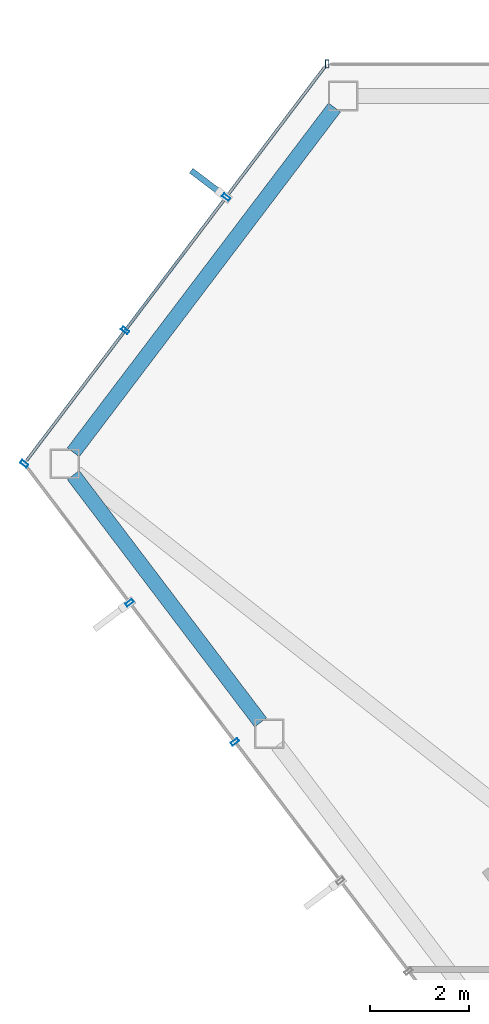
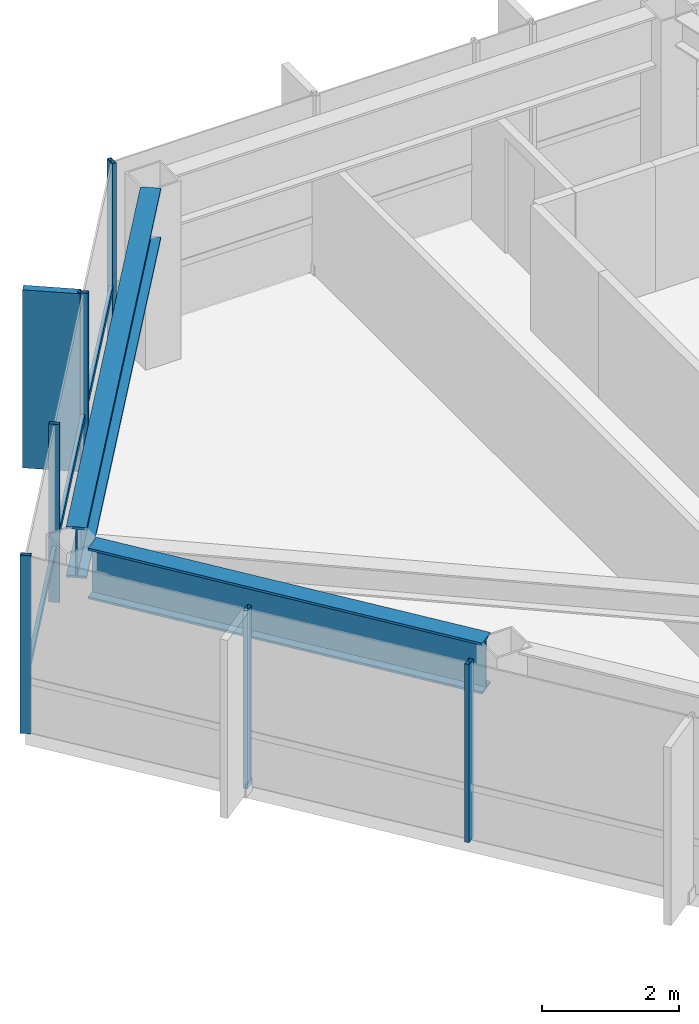
# One storey, part 9 of 25: 8 members, 2 beams, 3 elements without a shape of their own.
"""IFC4 building model written with IfcOpenShell, lengths in metres."""

import ifcopenshell
import ifcopenshell.guid

model = None  # the IFC model being written
_history = None  # IfcOwnerHistory: only IFC2X3 demands one
_inside = {}  # id of a spatial element -> (the spatial element, [elements in it])
_under = {}  # id of a project, library or spatial element -> (it, [spatial elements below it])
_declared = {}  # id of a project -> (the project, [libraries it declares])
_typed = {}  # id of a type object -> (the type object, [elements of that type])
_made_of = {}  # id of a material, layer set ... -> (it, [elements and type objects made of it])


def new_model(schema):
    """Start an empty IFC model of exactly this schema.

    Asked for "IFC4X3", IfcOpenShell would pick the latest addendum, in which some entities
    have other attributes; the version numbers below select the first issue.
    IFC2X3 requires an IfcOwnerHistory on every rooted entity: one is made here for all.
    """
    global model, _history
    if schema == "IFC4X3":
        model = ifcopenshell.file(schema_version=(4, 3, 0, 0))
    else:
        model = ifcopenshell.file(schema=schema)
    _inside.clear()
    _under.clear()
    _declared.clear()
    _typed.clear()
    _made_of.clear()
    _history = None
    if model.schema == "IFC2X3":
        org = make("IfcOrganization", Name="unknown")
        user = make(
            "IfcPersonAndOrganization",
            ThePerson=make("IfcPerson", FamilyName="unknown"),
            TheOrganization=org,
        )
        app = make(
            "IfcApplication",
            ApplicationDeveloper=org,
            Version="unknown",
            ApplicationFullName="unknown",
            ApplicationIdentifier="unknown",
        )
        _history = make(
            "IfcOwnerHistory",
            OwningUser=user,
            OwningApplication=app,
            ChangeAction="ADDED",
            CreationDate=0,
        )
    return model


def make(cls, **values):
    """One entity of the class cls with the attributes given. An attribute that is None is left unset."""
    return model.create_entity(
        cls, **{name: value for name, value in values.items() if value is not None}
    )


def rooted(cls, **values):
    """An entity with a GlobalId (a new one), such as an element, a storey or a relation."""
    return make(cls, GlobalId=ifcopenshell.guid.new(), OwnerHistory=_history, **values)


def si_unit(unit_type, name, prefix=None):
    """IfcSIUnit, for example si_unit("LENGTHUNIT", "METRE", prefix="MILLI")."""
    return make("IfcSIUnit", UnitType=unit_type, Prefix=prefix, Name=name)


def assignment(units):
    """IfcUnitAssignment: the units of a project."""
    return None if units is None else make("IfcUnitAssignment", Units=units)


def point(xyz):
    """IfcCartesianPoint."""
    return None if xyz is None else make("IfcCartesianPoint", Coordinates=xyz)


def direction(xyz):
    """IfcDirection."""
    return None if xyz is None else make("IfcDirection", DirectionRatios=xyz)


def frame(location, z_axis=None, x_axis=None):
    """IfcAxis2Placement3D, a coordinate frame: its origin and axes. An axis left out is left unset."""
    return make(
        "IfcAxis2Placement3D",
        Location=point(location),
        Axis=direction(z_axis),
        RefDirection=direction(x_axis),
    )


def frame_2d(location, x_axis=None):
    """IfcAxis2Placement2D, a coordinate frame in the plane: its origin and x axis."""
    return make(
        "IfcAxis2Placement2D", Location=point(location), RefDirection=direction(x_axis)
    )


def origin():
    """The frame at (0, 0, 0) with its axes left unset."""
    return frame((0.0, 0.0, 0.0))


def origin_2d():
    """The frame at (0, 0) in the plane with its x axis left unset."""
    return frame_2d((0.0, 0.0))


def place(relative_to, where):
    """IfcLocalPlacement: puts the frame where relative to a parent placement (None: the world)."""
    return make(
        "IfcLocalPlacement", PlacementRelTo=relative_to, RelativePlacement=where
    )


def context(
    kind, dimensions, precision=None, world=None, true_north=None, identifier=None
):
    """IfcGeometricRepresentationContext, for example the 3D "Model" context."""
    return make(
        "IfcGeometricRepresentationContext",
        ContextIdentifier=identifier,
        ContextType=kind,
        CoordinateSpaceDimension=dimensions,
        Precision=precision,
        WorldCoordinateSystem=world,
        TrueNorth=true_north,
    )


def subcontext(parent, identifier, kind, view, scale=None):
    """IfcGeometricRepresentationSubContext, for example "Body" below "Model"."""
    return make(
        "IfcGeometricRepresentationSubContext",
        ContextIdentifier=identifier,
        ContextType=kind,
        ParentContext=parent,
        TargetScale=scale,
        TargetView=view,
    )


def project(units=None, contexts=None):
    """IfcProject with its units and contexts."""
    return rooted(
        "IfcProject",
        Name="project",
        RepresentationContexts=contexts,
        UnitsInContext=assignment(units),
    )


def spatial(cls, under=None, at=None, **own):
    """A site, building, storey or space (cls), placed at a placement, below another one or the project."""
    s = rooted(cls, ObjectPlacement=at, **own)
    if under is not None:
        _under.setdefault(under.id(), (under, []))[1].append(s)
    return s


def profile(cls, at=None, kind="AREA", **sizes):
    """A parametric profile (cls). Its sizes go by their IFC names, for example OverallWidth=200.0."""
    return make(cls, ProfileType=kind, Position=at, **sizes)


def rectangle(**sizes):
    """IfcRectangleProfileDef."""
    return profile("IfcRectangleProfileDef", **sizes)


def hollow_rectangle(**sizes):
    """IfcRectangleHollowProfileDef."""
    return profile("IfcRectangleHollowProfileDef", **sizes)


def i_section(**sizes):
    """IfcIShapeProfileDef."""
    return profile("IfcIShapeProfileDef", **sizes)


def extrude(swept, where, along, depth):
    """IfcExtrudedAreaSolid: the profile swept, set in the frame where, extruded along a direction by depth."""
    return make(
        "IfcExtrudedAreaSolid",
        SweptArea=swept,
        Position=where,
        ExtrudedDirection=direction(along),
        Depth=depth,
    )


def shape(context_of_items, identifier, shape_type, items):
    """IfcShapeRepresentation: the items that make up one representation, for example the "Body"."""
    return make(
        "IfcShapeRepresentation",
        ContextOfItems=context_of_items,
        RepresentationIdentifier=identifier,
        RepresentationType=shape_type,
        Items=items,
    )


def material(Name=None, Category=None):
    """IfcMaterial."""
    return make("IfcMaterial", Name=Name, Category=Category)


def layer(
    of_material, thickness, ventilated=None, Name=None, Category=None, Priority=None
):
    """IfcMaterialLayer: one layer of a wall or slab, of a material (None: an air gap)."""
    return make(
        "IfcMaterialLayer",
        Material=of_material,
        LayerThickness=thickness,
        IsVentilated=ventilated,
        Name=Name,
        Category=Category,
        Priority=Priority,
    )


def layer_set(layers, Name=None):
    """IfcMaterialLayerSet."""
    return make("IfcMaterialLayerSet", MaterialLayers=layers, LayerSetName=Name)


def material_profile(
    of_material, cross_section, Name=None, Category=None, Priority=None
):
    """IfcMaterialProfile: a cross section and its material."""
    return make(
        "IfcMaterialProfile",
        Name=Name,
        Material=of_material,
        Profile=cross_section,
        Priority=Priority,
        Category=Category,
    )


def profile_set(profiles, Name=None, composite=None):
    """IfcMaterialProfileSet."""
    return make(
        "IfcMaterialProfileSet",
        Name=Name,
        MaterialProfiles=profiles,
        CompositeProfile=composite,
    )


def made_of(thing, what):
    """Note that an element or type object is made of a material, layer set ...; save() writes the relation."""
    if what is not None:
        _made_of.setdefault(what.id(), (what, []))[1].append(thing)
    return thing


def type_object(cls, material=None, **own):
    """A type object (cls), such as IfcWallType, which elements share."""
    return made_of(rooted(cls, **own), material)


def element(
    cls,
    number,
    at=None,
    inside=None,
    cuts=None,
    type_object=None,
    material=None,
    context=None,
    identifier="Body",
    shape_type=None,
    held_by="IfcProductDefinitionShape",
    body=None,
    shapes=None,
    **own,
):
    """One element of the class cls, such as IfcWall. Its Tag is "e" and its number.

    at: its placement. inside: the storey or other place that contains it. cuts: it is an
    opening in that element (IfcRelVoidsElement). A single representation is given by context,
    identifier, shape_type and body (its items); several are given by shapes. held_by: the class
    of the entity that holds the representations. save() writes the other relations.
    """
    e = rooted(cls, Tag="e%d" % number, ObjectPlacement=at, **own)
    if body is not None:
        shapes = [shape(context, identifier, shape_type, body)]
    if shapes is not None:
        e.Representation = make(held_by, Representations=shapes)
    if inside is not None:
        _inside.setdefault(inside.id(), (inside, []))[1].append(e)
    if cuts is not None:
        rooted(
            "IfcRelVoidsElement", RelatingBuildingElement=cuts, RelatedOpeningElement=e
        )
    if type_object is not None:
        _typed.setdefault(type_object.id(), (type_object, []))[1].append(e)
    return made_of(e, material)


def aggregate(whole, parts):
    """IfcRelAggregates: a whole, such as a stair, and the parts it consists of."""
    return rooted("IfcRelAggregates", RelatingObject=whole, RelatedObjects=parts)


def save(model, path):
    """Write the relations noted so far, then the file.

    IfcRelAggregates (storeys below a building ...), IfcRelContainedInSpatialStructure (elements
    in a storey), IfcRelDefinesByType, IfcRelAssociatesMaterial and IfcRelDeclares: one each for
    every whole, place, type object, material and project.
    """
    for whole, parts in _under.values():
        aggregate(whole, parts)
    for where, things in _inside.values():
        rooted(
            "IfcRelContainedInSpatialStructure",
            RelatedElements=things,
            RelatingStructure=where,
        )
    for kind, things in _typed.values():
        rooted("IfcRelDefinesByType", RelatedObjects=things, RelatingType=kind)
    for what, things in _made_of.values():
        rooted("IfcRelAssociatesMaterial", RelatedObjects=things, RelatingMaterial=what)
    for by, libraries in _declared.values():
        rooted("IfcRelDeclares", RelatingContext=by, RelatedDefinitions=libraries)
    model.write(path)


model = new_model("IFC4")

# Units and contexts
model_context = context("Model", 3, precision=1e-05, world=origin(), true_north=direction((0.0, 1.0)))
body_context = subcontext(model_context, "Body", "Model", "MODEL_VIEW")
ifc_project = project(units=[si_unit("LENGTHUNIT", "METRE"), si_unit("AREAUNIT", "SQUARE_METRE"), si_unit("VOLUMEUNIT", "CUBIC_METRE"), si_unit("PLANEANGLEUNIT", "RADIAN"), si_unit("MASSUNIT", "GRAM", prefix="KILO")], contexts=[model_context])

# Site, building, storey
site_placement = place(None, origin())
site = spatial("IfcSite", under=ifc_project, at=site_placement, CompositionType="ELEMENT")
building_placement = place(site_placement, origin())
building = spatial("IfcBuilding", under=site, at=building_placement, Name="Zarrinselat Tower", CompositionType="ELEMENT")
storey_placement = place(building_placement, frame((0.0, 0.0, 208.760009765625)))
storey = spatial("IfcBuildingStorey", under=building, at=storey_placement, Name="L51", CompositionType="ELEMENT", Elevation=208.760009765625)

# Beams
ifc_material_1 = material(Name="Steel S460M", Category="steel")
ifc_material_profile_1 = material_profile(ifc_material_1, i_section(OverallWidth=0.302001953125, OverallDepth=0.909912109375, WebThickness=0.02099609375, FlangeThickness=0.0400390625, at=origin_2d()), Name="HEM 900")
ifc_profile_set_1 = profile_set([ifc_material_profile_1], Name="Steel S460M")
beam_type = type_object("IfcBeamType", Name="BM-HEM900", PredefinedType="BEAM", material=ifc_profile_set_1)
beam_1_placement = place(storey_placement, frame((15.943115234375, 40.57666015625, 2.72509765625), z_axis=(0.603856610549, 0.7970929644, 0.0), x_axis=(-0.7970929644, 0.603856610549, 0.0)))
element("IfcBeam", 1, at=beam_1_placement, inside=storey, type_object=beam_type, Name="L51 Perimeter Spandrel Girder SP05", PredefinedType="BEAM", context=body_context, shape_type="SweptSolid", body=[
    extrude(i_section(OverallWidth=0.302001953125, OverallDepth=0.909912109375, WebThickness=0.02099609375, FlangeThickness=0.0400390625, at=origin_2d()), origin(), (0.0, 0.0, 1.0), 8.725341796875),
])
beam_2_placement = place(storey_placement, frame((15.943115234375, 40.117431640625, 2.72509765625), z_axis=(0.603844917099, -0.797101822914, 0.0), x_axis=(0.797101822914, 0.603844917099, 0.0)))
element("IfcBeam", 2, at=beam_2_placement, inside=storey, type_object=beam_type, Name="L51 Perimeter Spandrel Girder SP06", PredefinedType="BEAM", context=body_context, shape_type="SweptSolid", body=[
    extrude(i_section(OverallWidth=0.302001953125, OverallDepth=0.909912109375, WebThickness=0.02099609375, FlangeThickness=0.0400390625, at=origin_2d()), origin(), (0.0, 0.0, 1.0), 6.257080078125),
])

# Curtain wall, member
ifc_material_2 = material(Name="Extruded Aluminium Alloy EN AW-6063 T6", Category="aluminium")
ifc_layer = layer(ifc_material_2, 0.169921875)
ifc_layer_set = layer_set([ifc_layer], Name="Extruded Aluminium Alloy EN AW-6063 T6")
curtain_wall_type = type_object("IfcCurtainWallType", Name="CWS-RES", PredefinedType="NOTDEFINED", material=ifc_layer_set)
curtain_wall_1_placement = place(storey_placement, origin())
curtain_wall_1 = element("IfcCurtainWall", 3, at=curtain_wall_1_placement, inside=storey, type_object=curtain_wall_type, Name="L51 Unitised Curtain Wall CW-L51-E01", PredefinedType="NOTDEFINED")
ifc_material_3 = material(Name="Extruded Aluminium Alloy EN AW-6063 T6", Category="aluminium")
ifc_material_profile_2 = material_profile(ifc_material_3, hollow_rectangle(XDim=0.070068359375, YDim=0.159912109375, WallThickness=0.00390625, at=origin_2d()), Name="RHS 160x70x4")
ifc_profile_set_2 = profile_set([ifc_material_profile_2], Name="Extruded Aluminium Alloy EN AW-6063 T6")
member_type_1 = type_object("IfcMemberType", Name="MEM-CW-MUL2", PredefinedType="MULLION", material=ifc_profile_set_2)
member_1_placement = place(storey_placement, frame((21.062744140625, 48.4111328125, 0.0), z_axis=(0.0, 0.0, 1.0), x_axis=(-1.0, 0.0, 0.0)))
member_1 = element("IfcMember", 4, at=member_1_placement, type_object=member_type_1, Name="CW-L51-E01 Mullion 14", PredefinedType="MULLION", context=body_context, shape_type="SweptSolid", body=[
    extrude(hollow_rectangle(XDim=0.070068359375, YDim=0.159912109375, WallThickness=0.00390625, at=origin_2d()), origin(), (0.0, 0.0, 1.0), 3.179931640625),
])
aggregate(curtain_wall_1, [member_1])

# Curtain wall, members
curtain_wall_2_placement = place(storey_placement, origin())
curtain_wall_2 = element("IfcCurtainWall", 5, at=curtain_wall_2_placement, inside=storey, type_object=curtain_wall_type, Name="L51 Unitised Curtain Wall CW-L51-E02", PredefinedType="NOTDEFINED")
member_2_placement = place(storey_placement, frame((19.0263671875, 45.72314453125, 0.0), z_axis=(0.0, 0.0, 1.0), x_axis=(-0.603853501206, -0.797095319947, 0.0)))
member_2 = element("IfcMember", 6, at=member_2_placement, type_object=member_type_1, Name="CW-L51-E02 Mullion 1", PredefinedType="MULLION", context=body_context, shape_type="SweptSolid", body=[
    extrude(hollow_rectangle(XDim=0.070068359375, YDim=0.159912109375, WallThickness=0.00390625, at=origin_2d()), origin(), (0.0, 0.0, 1.0), 3.179931640625),
])
member_3_placement = place(storey_placement, frame((16.989990234375, 43.034912109375, 0.0), z_axis=(0.0, 0.0, 1.0), x_axis=(-0.603853501206, -0.797095319947, 0.0)))
member_3 = element("IfcMember", 7, at=member_3_placement, type_object=member_type_1, Name="CW-L51-E02 Mullion 2", PredefinedType="MULLION", context=body_context, shape_type="SweptSolid", body=[
    extrude(hollow_rectangle(XDim=0.070068359375, YDim=0.159912109375, WallThickness=0.00390625, at=origin_2d()), origin(), (0.0, 0.0, 1.0), 3.179931640625),
])
member_4_placement = place(storey_placement, frame((14.95361328125, 40.346923828125, 0.0), z_axis=(0.0, 0.0, 1.0), x_axis=(-0.603853501206, -0.797095319947, 0.0)))
member_4 = element("IfcMember", 8, at=member_4_placement, type_object=member_type_1, Name="CW-L51-E02 Mullion 3", PredefinedType="MULLION", context=body_context, shape_type="SweptSolid", body=[
    extrude(hollow_rectangle(XDim=0.070068359375, YDim=0.159912109375, WallThickness=0.00390625, at=origin_2d()), origin(), (0.0, 0.0, 1.0), 3.179931640625),
])

curtain_wall_3_placement = place(storey_placement, origin())
curtain_wall_3 = element("IfcCurtainWall", 9, at=curtain_wall_3_placement, inside=storey, type_object=curtain_wall_type, Name="L51 Unitised Curtain Wall CW-L51-E03", PredefinedType="NOTDEFINED")
member_5_placement = place(storey_placement, frame((17.078369140625, 37.54248046875, 0.0), z_axis=(0.0, 0.0, 1.0), x_axis=(0.603858850791, -0.797091267247, 0.0)))
member_5 = element("IfcMember", 10, at=member_5_placement, type_object=member_type_1, Name="CW-L51-E03 Mullion 1", PredefinedType="MULLION", context=body_context, shape_type="SweptSolid", body=[
    extrude(hollow_rectangle(XDim=0.070068359375, YDim=0.159912109375, WallThickness=0.00390625, at=origin_2d()), origin(), (0.0, 0.0, 1.0), 3.179931640625),
])
member_6_placement = place(storey_placement, frame((19.202880859375, 34.73779296875, 0.0), z_axis=(0.0, 0.0, 1.0), x_axis=(0.603858850791, -0.797091267247, 0.0)))
member_6 = element("IfcMember", 11, at=member_6_placement, type_object=member_type_1, Name="CW-L51-E03 Mullion 2", PredefinedType="MULLION", context=body_context, shape_type="SweptSolid", body=[
    extrude(hollow_rectangle(XDim=0.070068359375, YDim=0.159912109375, WallThickness=0.00390625, at=origin_2d()), origin(), (0.0, 0.0, 1.0), 3.179931640625),
])
aggregate(curtain_wall_3, [member_5, member_6])

# Member
ifc_material_4 = material(Name="Extruded Aluminium Alloy EN AW-6063 T6", Category="aluminium")
ifc_material_profile_3 = material_profile(ifc_material_4, hollow_rectangle(XDim=0.06005859375, YDim=0.1201171875, WallThickness=0.00390625, at=origin_2d()), Name="RHS 120x60x4")
ifc_profile_set_3 = profile_set([ifc_material_profile_3], Name="Extruded Aluminium Alloy EN AW-6063 T6")
member_type_2 = type_object("IfcMemberType", Name="MEM-CW-TRN2", PredefinedType="USERDEFINED", material=ifc_profile_set_3)
member_7_placement = place(storey_placement, frame((21.00830078125, 48.33935546875, 0.949951171875), z_axis=(-0.603857214963, -0.797092506512, 0.0), x_axis=(0.797092506512, -0.603857214963, 0.0)))
member_7 = element("IfcMember", 12, at=member_7_placement, type_object=member_type_2, Name="CW-L51-E02 Transom 1", ObjectType="TRANSOM", PredefinedType="USERDEFINED", context=body_context, shape_type="SweptSolid", body=[
    extrude(hollow_rectangle(XDim=0.06005859375, YDim=0.1201171875, WallThickness=0.00390625, at=origin_2d()), origin(), (0.0, 0.0, 1.0), 9.93701171875),
])

ifc_material_5 = material(Name="Honed Cream Travertine Stone", Category="masonry")
ifc_material_profile_4 = material_profile(ifc_material_5, rectangle(XDim=0.1201171875, YDim=0.85009765625, at=origin_2d()), Name="FIN 850x120")
ifc_profile_set_4 = profile_set([ifc_material_profile_4], Name="Honed Cream Travertine Stone")
member_type_3 = type_object("IfcMemberType", Name="MEM-STONE-FIN", PredefinedType="USERDEFINED", material=ifc_profile_set_4)
member_8_placement = place(storey_placement, frame((18.65966796875, 46.0009765625, 0.0), z_axis=(0.0, 0.0, 1.0), x_axis=(0.603853501206, 0.797095319947, 0.0)))
member_8 = element("IfcMember", 13, at=member_8_placement, type_object=member_type_3, Name="L51 Stone Shading Fin CW-L51-E02-01", ObjectType="FIN", PredefinedType="USERDEFINED", context=body_context, shape_type="SweptSolid", body=[
    extrude(rectangle(XDim=0.1201171875, YDim=0.85009765625, at=origin_2d()), origin(), (0.0, 0.0, 1.0), 3.179931640625),
])

aggregate(curtain_wall_2, [member_2, member_8, member_3, member_4, member_7])

save(model, "model.ifc")
